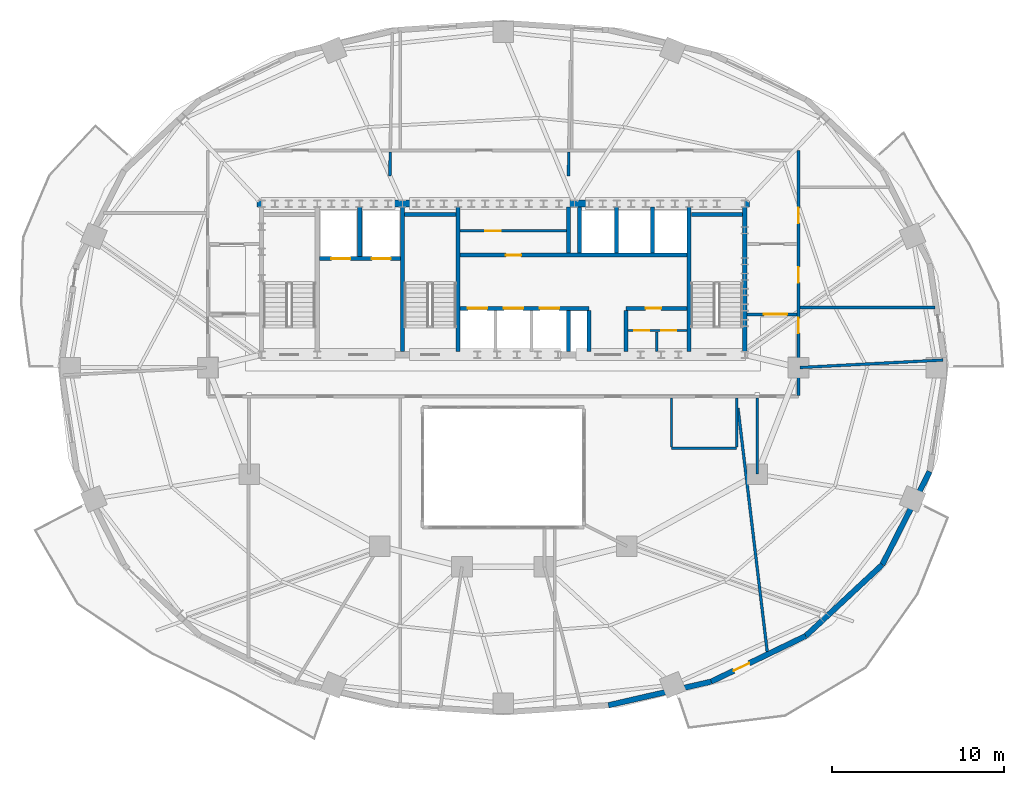
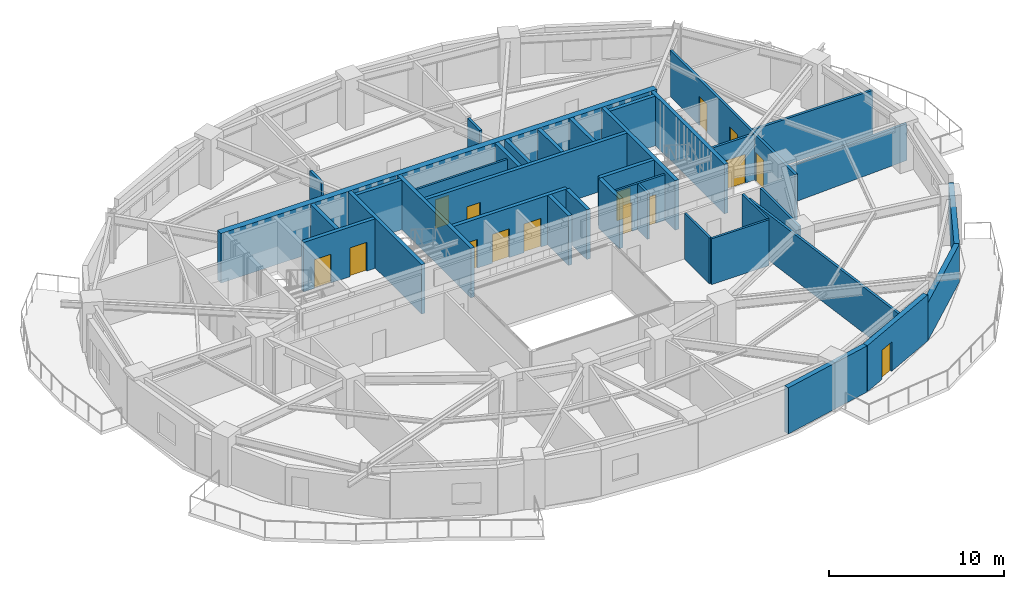
# One storey, part 7 of 11: 37 walls, 15 doors, 15 openings.
"""IFC4 building model written with IfcOpenShell, lengths in metres."""

from ifc_helpers import new_model, si_unit, direction, frame, frame_2d, origin, place, context, subcontext, project, spatial, rectangle, extrude, material, layer, layer_set, type_object, element, fill, save


model = new_model("IFC4")

# Units and contexts
model_context = context("Model", 3, precision=1e-05, world=origin(), true_north=direction((0.0, 1.0)))
body_context = subcontext(model_context, "Body", "Model", "MODEL_VIEW")
ifc_project = project(units=[si_unit("LENGTHUNIT", "METRE"), si_unit("AREAUNIT", "SQUARE_METRE"), si_unit("VOLUMEUNIT", "CUBIC_METRE"), si_unit("PLANEANGLEUNIT", "RADIAN"), si_unit("MASSUNIT", "GRAM", prefix="KILO")], contexts=[model_context])

# Site, building, storey
site_placement = place(None, origin())
site = spatial("IfcSite", under=ifc_project, at=site_placement, CompositionType="ELEMENT")
building_placement = place(site_placement, origin())
building = spatial("IfcBuilding", under=site, at=building_placement, Name="Haldorwick Loom Tower", CompositionType="ELEMENT")
storey_placement = place(building_placement, frame((0.0, 0.0, 171.699951171875)))
storey = spatial("IfcBuildingStorey", under=building, at=storey_placement, Name="L46", CompositionType="ELEMENT", Elevation=171.699951171875)

# Wall
ifc_material_1 = material(Name="Pressed Clay Face Brick and Insulated Masonry Backup Assembly", Category="masonry")
ifc_layer_1 = layer(ifc_material_1, 0.320068359375, Name="Pressed Clay Face Brick and Insulated Masonry Backup Assembly", Category="masonry")
ifc_layer_set_1 = layer_set([ifc_layer_1], Name="Pressed Clay Face Brick and Insulated Masonry Backup Assembly")
wall_type_1 = type_object("IfcWallType", Name="ARC-WL-EXT320", PredefinedType="STANDARD", material=ifc_layer_set_1)
wall_1_placement = place(storey_placement, frame((42.12890625, 6.3359375, 0.0), z_axis=(0.0, 0.0, 1.0), x_axis=(0.974593223547, 0.223982250674, 0.0)))
element("IfcWall", 1, at=wall_1_placement, inside=storey, type_object=wall_type_1, Name="L46 Brick Pier and Spandrel Wall 20", PredefinedType="STANDARD", context=body_context, shape_type="SweptSolid", body=[
    extrude(rectangle(XDim=6.138916015625, YDim=0.320068359375, at=frame_2d((3.0693359375, 0.0))), origin(), (0.0, 0.0, 1.0), 3.2099609375),
])

# Wall, opening, door
wall_2_placement = place(storey_placement, frame((48.11181640625, 7.7109375, 0.0), z_axis=(0.0, 0.0, 1.0), x_axis=(0.900479976617, 0.434897472644, 0.0)))
wall_2 = element("IfcWall", 2, at=wall_2_placement, inside=storey, type_object=wall_type_1, Name="L46 Brick Pier and Spandrel Wall 21", PredefinedType="STANDARD", context=body_context, shape_type="SweptSolid", body=[
    extrude(rectangle(XDim=6.118408203125, YDim=0.320068359375, at=frame_2d((3.05908203125, 0.0))), origin(), (0.0, 0.0, 1.0), 3.2099609375),
])
opening_1_placement = place(wall_2_placement, frame((1.460693359375, 0.0, 0.0)))
opening_1 = element("IfcOpeningElement", 3, at=opening_1_placement, cuts=wall_2, Name="Opening D-BL10", PredefinedType="OPENING", context=body_context, shape_type="SweptSolid", body=[
    extrude(rectangle(XDim=1.0, YDim=2.0400390625, at=frame_2d((0.5, 1.02001953125))), frame((0.0, 0.169921875, 0.0), z_axis=(0.0, -1.0, 0.0), x_axis=(1.0, 0.0, 0.0)), (0.0, 0.0, 1.0), 0.340087890625),
])
ifc_material_2 = material(Name="Thermally Broken Anodized Aluminium Curtain Wall Framing", Category="aluminium")
door_type_1 = type_object("IfcDoorType", Name="ARC-DR-BAL100", OperationType="NOTDEFINED", PredefinedType="DOOR", material=ifc_material_2)
door_1_placement = place(opening_1_placement, origin())
door_1 = element("IfcDoor", 4, at=door_1_placement, inside=storey, type_object=door_type_1, Name="L46 Outdoor Terrace Door SLB-L46-BAL_SE", OperationType="SINGLE_SWING_RIGHT", OverallHeight=2.0400390625, OverallWidth=1.0, PredefinedType="DOOR", context=body_context, shape_type="SweptSolid", body=[
    extrude(rectangle(XDim=1.0, YDim=2.0400390625, at=frame_2d((0.5, 1.02001953125))), frame((0.0, 0.02490234375, 0.0), z_axis=(0.0, -1.0, 0.0), x_axis=(1.0, 0.0, 0.0)), (0.0, 0.0, 1.0), 0.050048828125),
])
fill(opening_1, door_1)

# Walls
for number, where, z_axis, x_axis, name in (
    (5, (53.621337890625, 10.371826171875, 0.0), (0.0, 0.0, 1.0), (0.731982952968, 0.681322945866, 0.0), "L46 Brick Pier and Spandrel Wall 22"),
    (6, (58.07666015625, 14.518798828125, 0.0), (0.0, 0.0, 1.0), (0.453172129629, 0.89142303141, 0.0), "L46 Brick Pier and Spandrel Wall 23"),
):
    element("IfcWall", number, at=place(storey_placement, frame(where, z_axis=z_axis, x_axis=x_axis)), inside=storey, type_object=wall_type_1, Name=name, PredefinedType="STANDARD", context=body_context, shape_type="SweptSolid", body=[
        extrude(rectangle(XDim=6.086669921875, YDim=0.320068359375, at=frame_2d((3.04345703125, 0.0))), origin(), (0.0, 0.0, 1.0), 2.64111328125),
    ])

# Wall, openings, doors
ifc_material_3 = material(Name="Fire-Rated Type X Gypsum Stud Assembly EI 60")
ifc_layer_2 = layer(ifc_material_3, 0.159912109375, Name="Fire-Rated Type X Gypsum Stud Assembly EI 60")
ifc_layer_set_2 = layer_set([ifc_layer_2], Name="Fire-Rated Type X Gypsum Stud Assembly EI 60")
wall_type_2 = type_object("IfcWallType", Name="ARC-WL-FIRE160", PredefinedType="PARTITIONING", material=ifc_layer_set_2)
wall_3_placement = place(storey_placement, frame((53.199951171875, 24.383056640625, 0.0), z_axis=(0.0, 0.0, 1.0), x_axis=(0.0, 1.0, 0.0)))
wall_3 = element("IfcWall", 7, at=wall_3_placement, inside=storey, type_object=wall_type_2, Name="L46 Residential Fire Partition L46-CR-E0", PredefinedType="PARTITIONING", context=body_context, shape_type="SweptSolid", body=[
    extrude(rectangle(XDim=14.266845703125, YDim=0.159912109375, at=frame_2d((7.13330078125, 0.0))), origin(), (0.0, 0.0, 1.0), 3.195068359375),
])
opening_2_placement = place(wall_3_placement, frame((6.572021484375, 0.0, 0.0)))
opening_2 = element("IfcOpeningElement", 8, at=opening_2_placement, cuts=wall_3, Name="Opening D-FD60A", PredefinedType="OPENING", context=body_context, shape_type="SweptSolid", body=[
    extrude(rectangle(XDim=0.89990234375, YDim=2.0, at=frame_2d((0.449951171875, 1.0))), frame((0.0, 0.08984375, 0.0), z_axis=(0.0, -1.0, 0.0), x_axis=(1.0, 0.0, 0.0)), (0.0, 0.0, 1.0), 0.179931640625),
])
opening_3_placement = place(wall_3_placement, frame((3.619873046875, 0.0, 0.0)))
opening_3 = element("IfcOpeningElement", 9, at=opening_3_placement, cuts=wall_3, Name="Opening D-FD60A", PredefinedType="OPENING", context=body_context, shape_type="SweptSolid", body=[
    extrude(rectangle(XDim=0.89990234375, YDim=2.0, at=frame_2d((0.449951171875, 1.0))), frame((0.0, 0.08984375, 0.0), z_axis=(0.0, -1.0, 0.0), x_axis=(1.0, 0.0, 0.0)), (0.0, 0.0, 1.0), 0.179931640625),
])
opening_4_placement = place(wall_3_placement, frame((10.02734375, 0.0, 0.0)))
opening_4 = element("IfcOpeningElement", 10, at=opening_4_placement, cuts=wall_3, Name="Opening D-FD60A", PredefinedType="OPENING", context=body_context, shape_type="SweptSolid", body=[
    extrude(rectangle(XDim=0.89990234375, YDim=2.0, at=frame_2d((0.449951171875, 1.0))), frame((0.0, 0.08984375, 0.0), z_axis=(0.0, -1.0, 0.0), x_axis=(1.0, 0.0, 0.0)), (0.0, 0.0, 1.0), 0.179931640625),
])
ifc_material_4 = material(Name="Hollow Steel Fire Door Assembly", Category="steel")
door_type_2 = type_object("IfcDoorType", Name="ARC-DR-FD60-90", OperationType="NOTDEFINED", PredefinedType="DOOR", material=ifc_material_4)
door_2_placement = place(opening_2_placement, origin())
door_2 = element("IfcDoor", 11, at=door_2_placement, inside=storey, type_object=door_type_2, Name="L46 L46 East Residential Corridor to Co-Working Office 3 Door", OperationType="SINGLE_SWING_RIGHT", OverallHeight=2.0, OverallWidth=0.89990234375, PredefinedType="DOOR", context=body_context, shape_type="SweptSolid", body=[
    extrude(rectangle(XDim=0.89990234375, YDim=2.0, at=frame_2d((0.449951171875, 1.0))), frame((0.0, 0.02490234375, 0.0), z_axis=(0.0, -1.0, 0.0), x_axis=(1.0, 0.0, 0.0)), (0.0, 0.0, 1.0), 0.050048828125),
])
fill(opening_2, door_2)
door_3_placement = place(opening_3_placement, origin())
door_3 = element("IfcDoor", 12, at=door_3_placement, inside=storey, type_object=door_type_2, Name="L46 L46 Central Residential Corridor to Co-Working Office 1 Door", OperationType="SINGLE_SWING_LEFT", OverallHeight=2.0, OverallWidth=0.89990234375, PredefinedType="DOOR", context=body_context, shape_type="SweptSolid", body=[
    extrude(rectangle(XDim=0.89990234375, YDim=2.0, at=frame_2d((0.449951171875, 1.0))), frame((0.0, 0.02490234375, 0.0), z_axis=(0.0, -1.0, 0.0), x_axis=(1.0, 0.0, 0.0)), (0.0, 0.0, 1.0), 0.050048828125),
])
fill(opening_3, door_3)
door_4_placement = place(opening_4_placement, origin())
door_4 = element("IfcDoor", 13, at=door_4_placement, inside=storey, type_object=door_type_2, Name="L46 L46 North Residential Corridor to Co-Working Office 3 Door", OperationType="SINGLE_SWING_RIGHT", OverallHeight=2.0, OverallWidth=0.89990234375, PredefinedType="DOOR", context=body_context, shape_type="SweptSolid", body=[
    extrude(rectangle(XDim=0.89990234375, YDim=2.0, at=frame_2d((0.449951171875, 1.0))), frame((0.0, 0.02490234375, 0.0), z_axis=(0.0, -1.0, 0.0), x_axis=(1.0, 0.0, 0.0)), (0.0, 0.0, 1.0), 0.050048828125),
])
fill(opening_4, door_4)

# Wall, opening, door
wall_4_placement = place(storey_placement, frame((50.193115234375, 29.10009765625, 0.0), z_axis=(0.0, 0.0, 1.0), x_axis=(1.0, 0.0, 0.0)))
wall_4 = element("IfcWall", 14, at=wall_4_placement, inside=storey, type_object=wall_type_2, Name="L46 Residential Fire Partition L46-CR-ESJ", PredefinedType="PARTITIONING", context=body_context, shape_type="SweptSolid", body=[
    extrude(rectangle(XDim=2.923828125, YDim=0.159912109375, at=frame_2d((1.4619140625, 0.0))), origin(), (0.0, 0.0, 1.0), 3.195068359375),
])
opening_5_placement = place(wall_4_placement, frame((0.99560546875, 0.0, 0.0)))
opening_5 = element("IfcOpeningElement", 15, at=opening_5_placement, cuts=wall_4, Name="Opening D-CR15", PredefinedType="OPENING", context=body_context, shape_type="SweptSolid", body=[
    extrude(rectangle(XDim=1.35009765625, YDim=2.0, at=frame_2d((0.675048828125, 1.0))), frame((0.0, 0.08984375, 0.0), z_axis=(0.0, -1.0, 0.0), x_axis=(1.0, 0.0, 0.0)), (0.0, 0.0, 1.0), 0.179931640625),
])
ifc_material_5 = material(Name="Thermally Broken Anodized Aluminium and Tempered Glass", Category="aluminium")
door_type_3 = type_object("IfcDoorType", Name="ARC-DR-COR150", OperationType="NOTDEFINED", PredefinedType="DOOR", material=ifc_material_5)
door_5_placement = place(opening_5_placement, origin())
door_5 = element("IfcDoor", 16, at=door_5_placement, inside=storey, type_object=door_type_3, Name="L46 L46 East Residential Corridor to L46 Central Residential Corridor Do", OperationType="DOUBLE_DOOR_SINGLE_SWING", OverallHeight=2.0, OverallWidth=1.35009765625, PredefinedType="DOOR", context=body_context, shape_type="SweptSolid", body=[
    extrude(rectangle(XDim=1.35009765625, YDim=2.0, at=frame_2d((0.675048828125, 1.0))), frame((0.0, 0.02490234375, 0.0), z_axis=(0.0, -1.0, 0.0), x_axis=(1.0, 0.0, 0.0)), (0.0, 0.0, 1.0), 0.050048828125),
])
fill(opening_5, door_5)

# Walls
wall_5_placement = place(storey_placement, frame((53.282958984375, 26.00439453125, 0.0), z_axis=(0.0, 0.0, 1.0), x_axis=(0.99863031647, 0.052321038094, 0.0)))
element("IfcWall", 17, at=wall_5_placement, inside=storey, type_object=wall_type_2, Name="L46 Residential Fire Partition L46-ICR-01", PredefinedType="PARTITIONING", context=body_context, shape_type="SweptSolid", body=[
    extrude(rectangle(XDim=8.3525390625, YDim=0.159912109375, at=frame_2d((4.17626953125, 0.0))), origin(), (0.0, 0.0, 1.0), 2.568115234375),
])
wall_6_placement = place(storey_placement, frame((50.800048828125, 24.217041015625, 0.0), z_axis=(0.0, 0.0, 1.0), x_axis=(0.0, -1.0, 0.0)))
element("IfcWall", 18, at=wall_6_placement, inside=storey, type_object=wall_type_2, Name="L46 Residential Fire Partition L46-ICA-02", PredefinedType="PARTITIONING", context=body_context, shape_type="SweptSolid", body=[
    extrude(rectangle(XDim=4.4169921875, YDim=0.159912109375, at=frame_2d((2.20849609375, 0.0))), origin(), (0.0, 0.0, 1.0), 3.195068359375),
])
for number, where, z_axis, x_axis, name in (
    (19, (29.39990234375, 37.14990234375, 0.0), (0.0, 0.0, 1.0), (0.01739915764, 0.999848623199, 0.0), "L46 Residential Fire Partition L46-UPN-12"),
    (20, (39.800048828125, 37.14990234375, 0.0), (0.0, 0.0, 1.0), (0.01739915764, 0.999848623199, 0.0), "L46 Residential Fire Partition L46-UPN-13"),
):
    element("IfcWall", number, at=place(storey_placement, frame(where, z_axis=z_axis, x_axis=x_axis)), inside=storey, type_object=wall_type_2, Name=name, PredefinedType="PARTITIONING", context=body_context, shape_type="SweptSolid", body=[
        extrude(rectangle(XDim=1.417236328125, YDim=0.159912109375, at=frame_2d((0.70849609375, 0.0))), origin(), (0.0, 0.0, 1.0), 3.195068359375),
    ])
wall_7_placement = place(storey_placement, frame((53.282958984375, 29.5, 0.0), z_axis=(0.0, 0.0, 1.0), x_axis=(1.0, 0.0, 0.0)))
element("IfcWall", 21, at=wall_7_placement, inside=storey, type_object=wall_type_2, Name="L46 Residential Fire Partition L46-FLE-15", PredefinedType="PARTITIONING", context=body_context, shape_type="SweptSolid", body=[
    extrude(rectangle(XDim=7.875244140625, YDim=0.159912109375, at=frame_2d((3.9375, 0.0))), origin(), (0.0, 0.0, 1.0), 3.195068359375),
])
wall_8_placement = place(storey_placement, frame((51.389404296875, 9.3662109375, 0.0), z_axis=(0.0, 0.0, 1.0), x_axis=(-0.119286397993, 0.99285988702, 0.0)))
element("IfcWall", 22, at=wall_8_placement, inside=storey, type_object=wall_type_2, Name="L46 Suite Split Wall", PredefinedType="PARTITIONING", context=body_context, shape_type="SweptSolid", body=[
    extrude(rectangle(XDim=14.38818359375, YDim=0.159912109375, at=frame_2d((7.194091796875, 0.0))), origin(), (0.0, 0.0, 1.0), 3.195068359375),
])

# Wall, opening, door
ifc_layer_3 = layer(ifc_material_3, 0.139892578125, Name="Fire-Rated Type X Gypsum Stud Assembly EI 60")
ifc_layer_set_3 = layer_set([ifc_layer_3], Name="Fire-Rated Type X Gypsum Stud Assembly EI 60")
wall_type_3 = type_object("IfcWallType", Name="ARC-WL-PART140", PredefinedType="PARTITIONING", material=ifc_layer_set_3)
wall_9_placement = place(storey_placement, frame((33.492919921875, 33.9599609375, 0.0), z_axis=(0.0, 0.0, 1.0), x_axis=(1.0, 0.0, 0.0)))
wall_9 = element("IfcWall", 23, at=wall_9_placement, inside=storey, type_object=wall_type_3, Name="L46 Alcove Partition", PredefinedType="PARTITIONING", context=body_context, shape_type="SweptSolid", body=[
    extrude(rectangle(XDim=6.18408203125, YDim=0.139892578125, at=frame_2d((3.092041015625, 0.0))), origin(), (0.0, 0.0, 1.0), 3.195068359375),
])
opening_6_placement = place(wall_9_placement, frame((1.45703125, 0.0, 0.0)))
opening_6 = element("IfcOpeningElement", 24, at=opening_6_placement, cuts=wall_9, Name="Opening D-FD60A", PredefinedType="OPENING", context=body_context, shape_type="SweptSolid", body=[
    extrude(rectangle(XDim=0.89990234375, YDim=2.0, at=frame_2d((0.449951171875, 1.0))), frame((0.0, 0.079833984375, 0.0), z_axis=(0.0, -1.0, 0.0), x_axis=(1.0, 0.0, 0.0)), (0.0, 0.0, 1.0), 0.159912109375),
])
door_6_placement = place(opening_6_placement, frame((0.89990234375, 0.0, 0.0), z_axis=(0.0, 0.0, 1.0), x_axis=(-1.0, 0.0, 0.0)))
door_6 = element("IfcDoor", 25, at=door_6_placement, inside=storey, type_object=door_type_2, Name="L46 Trunk Store Door", OperationType="SINGLE_SWING_LEFT", OverallHeight=2.0, OverallWidth=0.89990234375, PredefinedType="DOOR", context=body_context, shape_type="SweptSolid", body=[
    extrude(rectangle(XDim=0.89990234375, YDim=2.0, at=frame_2d((0.449951171875, 1.0))), frame((0.0, 0.02490234375, 0.0), z_axis=(0.0, -1.0, 0.0), x_axis=(1.0, 0.0, 0.0)), (0.0, 0.0, 1.0), 0.050048828125),
])
fill(opening_6, door_6)

# Wall, openings, doors
wall_10_placement = place(storey_placement, frame((43.27294921875, 28.159912109375, 0.0), z_axis=(0.0, 0.0, 1.0), x_axis=(1.0, 0.0, 0.0)))
wall_10 = element("IfcWall", 26, at=wall_10_placement, inside=storey, type_object=wall_type_3, Name="L46 Telecom Partition", PredefinedType="PARTITIONING", context=body_context, shape_type="SweptSolid", body=[
    extrude(rectangle(XDim=3.43408203125, YDim=0.139892578125, at=frame_2d((1.717041015625, 0.0))), origin(), (0.0, 0.0, 1.0), 3.195068359375),
])
opening_7_placement = place(wall_10_placement, frame((0.366943359375, 0.0, 0.0)))
opening_7 = element("IfcOpeningElement", 27, at=opening_7_placement, cuts=wall_10, Name="Opening D-BT88", PredefinedType="OPENING", context=body_context, shape_type="SweptSolid", body=[
    extrude(rectangle(XDim=0.8798828125, YDim=2.02001953125, at=frame_2d((0.43994140625, 1.010009765625))), frame((0.0, 0.079833984375, 0.0), z_axis=(0.0, -1.0, 0.0), x_axis=(1.0, 0.0, 0.0)), (0.0, 0.0, 1.0), 0.159912109375),
])
opening_8_placement = place(wall_10_placement, frame((1.93701171875, 0.0, 0.0)))
opening_8 = element("IfcOpeningElement", 28, at=opening_8_placement, cuts=wall_10, Name="Opening D-BT88", PredefinedType="OPENING", context=body_context, shape_type="SweptSolid", body=[
    extrude(rectangle(XDim=0.8798828125, YDim=2.02001953125, at=frame_2d((0.43994140625, 1.010009765625))), frame((0.0, 0.079833984375, 0.0), z_axis=(0.0, -1.0, 0.0), x_axis=(1.0, 0.0, 0.0)), (0.0, 0.0, 1.0), 0.159912109375),
])
ifc_material_6 = material(Name="Solid Core Birch Architectural Door")
door_type_4 = type_object("IfcDoorType", Name="ARC-DR-BATH88", OperationType="NOTDEFINED", PredefinedType="DOOR", material=ifc_material_6)
door_7_placement = place(opening_7_placement, origin())
door_7 = element("IfcDoor", 29, at=door_7_placement, inside=storey, type_object=door_type_4, Name="L46 Telecom Room Door", OperationType="SINGLE_SWING_LEFT", OverallHeight=2.02001953125, OverallWidth=0.8798828125, PredefinedType="DOOR", context=body_context, shape_type="SweptSolid", body=[
    extrude(rectangle(XDim=0.8798828125, YDim=2.02001953125, at=frame_2d((0.43994140625, 1.010009765625))), frame((0.0, 0.02490234375, 0.0), z_axis=(0.0, -1.0, 0.0), x_axis=(1.0, 0.0, 0.0)), (0.0, 0.0, 1.0), 0.050048828125),
])
fill(opening_7, door_7)
door_8_placement = place(opening_8_placement, origin())
door_8 = element("IfcDoor", 30, at=door_8_placement, inside=storey, type_object=door_type_4, Name="L46 Metering Closet Door", OperationType="SINGLE_SWING_RIGHT", OverallHeight=2.02001953125, OverallWidth=0.8798828125, PredefinedType="DOOR", context=body_context, shape_type="SweptSolid", body=[
    extrude(rectangle(XDim=0.8798828125, YDim=2.02001953125, at=frame_2d((0.43994140625, 1.010009765625))), frame((0.0, 0.02490234375, 0.0), z_axis=(0.0, -1.0, 0.0), x_axis=(1.0, 0.0, 0.0)), (0.0, 0.0, 1.0), 0.050048828125),
])
fill(opening_8, door_8)

# Walls
wall_11_placement = place(storey_placement, frame((44.949951171875, 26.952880859375, 0.0), z_axis=(0.0, 0.0, 1.0), x_axis=(0.0, 1.0, 0.0)))
element("IfcWall", 31, at=wall_11_placement, inside=storey, type_object=wall_type_3, Name="L46 Metering Sub-Partition", PredefinedType="PARTITIONING", context=body_context, shape_type="SweptSolid", body=[
    extrude(rectangle(XDim=1.134033203125, YDim=0.139892578125, at=frame_2d((0.56689453125, 0.0))), origin(), (0.0, 0.0, 1.0), 3.195068359375),
])
wall_12_placement = place(storey_placement, frame((45.800048828125, 21.300048828125, 0.0), z_axis=(0.0, 0.0, 1.0), x_axis=(1.0, 0.0, 0.0)))
element("IfcWall", 32, at=wall_12_placement, inside=storey, type_object=wall_type_3, Name="L46 Residential Fire Partition L46-CWC-S", PredefinedType="PARTITIONING", context=body_context, shape_type="SweptSolid", body=[
    extrude(rectangle(XDim=3.800048828125, YDim=0.139892578125, at=frame_2d((1.89990234375, 0.0))), origin(), (0.0, 0.0, 1.0), 3.195068359375),
])
for number, where, z_axis, x_axis, name in (
    (33, (45.800048828125, 21.373046875, 0.0), (0.0, 0.0, 1.0), (0.0, 1.0, 0.0), "L46 Residential Fire Partition L46-CWC-W"),
    (34, (49.60009765625, 21.373046875, 0.0), (0.0, 0.0, 1.0), (0.0, 1.0, 0.0), "L46 Residential Fire Partition L46-CWC-E"),
):
    element("IfcWall", number, at=place(storey_placement, frame(where, z_axis=z_axis, x_axis=x_axis)), inside=storey, type_object=wall_type_3, Name=name, PredefinedType="PARTITIONING", context=body_context, shape_type="SweptSolid", body=[
        extrude(rectangle(XDim=2.843994140625, YDim=0.139892578125, at=frame_2d((1.421875, 0.0))), origin(), (0.0, 0.0, 1.0), 3.195068359375),
    ])
ifc_material_7 = material(Name="Concrete C50 (50 MPa)", Category="concrete")
ifc_layer_4 = layer(ifc_material_7, 0.39990234375, Name="Concrete C50 (50 MPa)", Category="concrete")
ifc_layer_set_4 = layer_set([ifc_layer_4], Name="Concrete C50 (50 MPa)")
wall_type_4 = type_object("IfcWallType", Name="STR-WL-CORE400", PredefinedType="SHEAR", material=ifc_layer_set_4)
wall_13_placement = place(storey_placement, frame((50.35009765625, 35.550048828125, 0.0), z_axis=(0.0, 0.0, 1.0), x_axis=(-1.0, 0.0, 0.0)))
element("IfcWall", 35, at=wall_13_placement, inside=storey, type_object=wall_type_4, Name="L46 Core Shear Wall N", PredefinedType="SHEAR", context=body_context, shape_type="SweptSolid", body=[
    extrude(rectangle(XDim=28.7001953125, YDim=0.39990234375, at=frame_2d((14.35009765625, 0.0))), origin(), (0.0, 0.0, 1.0), 3.449951171875),
])
ifc_layer_5 = layer(ifc_material_7, 0.239990234375, Name="Concrete C50 (50 MPa)", Category="concrete")
ifc_layer_set_5 = layer_set([ifc_layer_5], Name="Concrete C50 (50 MPa)")
wall_type_5 = type_object("IfcWallType", Name="STR-WL-SHAFT240", PredefinedType="SHEAR", material=ifc_layer_set_5)
for number, where, z_axis, x_axis, name in (
    (36, (50.070068359375, 26.952880859375, 0.0), (0.0, 0.0, 1.0), (0.0, 1.0, 0.0), "L46 Core Shear Wall E"),
    (37, (30.1298828125, 26.952880859375, 0.0), (0.0, 0.0, 1.0), (0.0, 1.0, 0.0), "L46 Core Shear Wall 2"),
    (38, (33.3701171875, 26.952880859375, 0.0), (0.0, 0.0, 1.0), (0.0, 1.0, 0.0), "L46 Core Shear Wall 3"),
):
    element("IfcWall", number, at=place(storey_placement, frame(where, z_axis=z_axis, x_axis=x_axis)), inside=storey, type_object=wall_type_5, Name=name, PredefinedType="SHEAR", context=body_context, shape_type="SweptSolid", body=[
        extrude(rectangle(XDim=8.39404296875, YDim=0.239990234375, at=frame_2d((4.197021484375, 0.0))), origin(), (0.0, 0.0, 1.0), 3.449951171875),
    ])
wall_14_placement = place(storey_placement, frame((30.2529296875, 34.919921875, 0.0), z_axis=(0.0, 0.0, 1.0), x_axis=(1.0, 0.0, 0.0)))
element("IfcWall", 39, at=wall_14_placement, inside=storey, type_object=wall_type_5, Name="L46 Core Shear Wall 3N", PredefinedType="SHEAR", context=body_context, shape_type="SweptSolid", body=[
    extrude(rectangle(XDim=2.994140625, YDim=0.239990234375, at=frame_2d((1.4970703125, 0.0))), origin(), (0.0, 0.0, 1.0), 3.449951171875),
])
wall_15_placement = place(storey_placement, frame((46.830078125, 26.952880859375, 0.0), z_axis=(0.0, 0.0, 1.0), x_axis=(0.0, 1.0, 0.0)))
element("IfcWall", 40, at=wall_15_placement, inside=storey, type_object=wall_type_5, Name="L46 Core Shear Wall 4", PredefinedType="SHEAR", context=body_context, shape_type="SweptSolid", body=[
    extrude(rectangle(XDim=8.39404296875, YDim=0.239990234375, at=frame_2d((4.197021484375, 0.0))), origin(), (0.0, 0.0, 1.0), 3.449951171875),
])
wall_16_placement = place(storey_placement, frame((46.952880859375, 34.919921875, 0.0), z_axis=(0.0, 0.0, 1.0), x_axis=(1.0, 0.0, 0.0)))
element("IfcWall", 41, at=wall_16_placement, inside=storey, type_object=wall_type_5, Name="L46 Core Shear Wall 4N", PredefinedType="SHEAR", context=body_context, shape_type="SweptSolid", body=[
    extrude(rectangle(XDim=2.994140625, YDim=0.239990234375, at=frame_2d((1.4970703125, 0.0))), origin(), (0.0, 0.0, 1.0), 3.449951171875),
])

# Wall, openings, doors
wall_17_placement = place(storey_placement, frame((25.29296875, 32.35009765625, 0.0), z_axis=(0.0, 0.0, 1.0), x_axis=(1.0, 0.0, 0.0)))
wall_17 = element("IfcWall", 42, at=wall_17_placement, inside=storey, type_object=wall_type_5, Name="L46 Core Shear Wall FF", PredefinedType="SHEAR", context=body_context, shape_type="SweptSolid", body=[
    extrude(rectangle(XDim=4.714111328125, YDim=0.239990234375, at=frame_2d((2.35693359375, 0.0))), origin(), (0.0, 0.0, 1.0), 3.449951171875),
])
opening_9_placement = place(wall_17_placement, frame((0.70703125, 0.0, 0.0)))
opening_9 = element("IfcOpeningElement", 43, at=opening_9_placement, cuts=wall_17, Name="Opening LD-FF1", PredefinedType="OPENING", context=body_context, shape_type="SweptSolid", body=[
    extrude(rectangle(XDim=1.10009765625, YDim=2.0, at=frame_2d((0.550048828125, 1.0))), frame((0.0, 0.1298828125, 0.0), z_axis=(0.0, -1.0, 0.0), x_axis=(1.0, 0.0, 0.0)), (0.0, 0.0, 1.0), 0.260009765625),
])
opening_10_placement = place(wall_17_placement, frame((3.056884765625, 0.0, 0.0)))
opening_10 = element("IfcOpeningElement", 44, at=opening_10_placement, cuts=wall_17, Name="Opening LD-FF2", PredefinedType="OPENING", context=body_context, shape_type="SweptSolid", body=[
    extrude(rectangle(XDim=1.10009765625, YDim=2.0, at=frame_2d((0.550048828125, 1.0))), frame((0.0, 0.1298828125, 0.0), z_axis=(0.0, -1.0, 0.0), x_axis=(1.0, 0.0, 0.0)), (0.0, 0.0, 1.0), 0.260009765625),
])
door_type_5 = type_object("IfcDoorType", Name="ARC-DR-LD-FF", OperationType="NOTDEFINED", PredefinedType="USERDEFINED", material=ifc_material_4)
door_9_placement = place(opening_9_placement, origin())
door_9 = element("IfcDoor", 45, at=door_9_placement, inside=storey, type_object=door_type_5, Name="L46 Lift LF-FF1 Sliding Landing Door", ObjectType="LANDING DOOR", OperationType="DOUBLE_DOOR_SLIDING", OverallHeight=2.0, OverallWidth=1.10009765625, PredefinedType="USERDEFINED", context=body_context, shape_type="SweptSolid", body=[
    extrude(rectangle(XDim=1.10009765625, YDim=2.0, at=frame_2d((0.550048828125, 1.0))), frame((0.0, 0.02490234375, 0.0), z_axis=(0.0, -1.0, 0.0), x_axis=(1.0, 0.0, 0.0)), (0.0, 0.0, 1.0), 0.050048828125),
])
fill(opening_9, door_9)
door_10_placement = place(opening_10_placement, origin())
door_10 = element("IfcDoor", 46, at=door_10_placement, inside=storey, type_object=door_type_5, Name="L46 Lift LF-FF2 Sliding Landing Door", ObjectType="LANDING DOOR", OperationType="DOUBLE_DOOR_SLIDING", OverallHeight=2.0, OverallWidth=1.10009765625, PredefinedType="USERDEFINED", context=body_context, shape_type="SweptSolid", body=[
    extrude(rectangle(XDim=1.10009765625, YDim=2.0, at=frame_2d((0.550048828125, 1.0))), frame((0.0, 0.02490234375, 0.0), z_axis=(0.0, -1.0, 0.0), x_axis=(1.0, 0.0, 0.0)), (0.0, 0.0, 1.0), 0.050048828125),
])
fill(opening_10, door_10)

# Wall
wall_18_placement = place(storey_placement, frame((27.64990234375, 32.472900390625, 0.0), z_axis=(0.0, 0.0, 1.0), x_axis=(0.0, 1.0, 0.0)))
element("IfcWall", 47, at=wall_18_placement, inside=storey, type_object=wall_type_5, Name="L46 Core Shear Wall FFD", PredefinedType="SHEAR", context=body_context, shape_type="SweptSolid", body=[
    extrude(rectangle(XDim=2.8740234375, YDim=0.239990234375, at=frame_2d((1.43701171875, 0.0))), origin(), (0.0, 0.0, 1.0), 3.449951171875),
])

# Wall, opening, door
wall_19_placement = place(storey_placement, frame((33.492919921875, 32.550048828125, 0.0), z_axis=(0.0, 0.0, 1.0), x_axis=(1.0, 0.0, 0.0)))
wall_19 = element("IfcWall", 48, at=wall_19_placement, inside=storey, type_object=wall_type_5, Name="L46 Core Shear Wall LN", PredefinedType="SHEAR", context=body_context, shape_type="SweptSolid", body=[
    extrude(rectangle(XDim=13.214111328125, YDim=0.239990234375, at=frame_2d((6.60693359375, 0.0))), origin(), (0.0, 0.0, 1.0), 3.449951171875),
])
opening_11_placement = place(wall_19_placement, frame((2.656982421875, 0.0, 0.0)))
opening_11 = element("IfcOpeningElement", 49, at=opening_11_placement, cuts=wall_19, Name="Opening D-FD60A", PredefinedType="OPENING", context=body_context, shape_type="SweptSolid", body=[
    extrude(rectangle(XDim=0.89990234375, YDim=2.0, at=frame_2d((0.449951171875, 1.0))), frame((0.0, 0.1298828125, 0.0), z_axis=(0.0, -1.0, 0.0), x_axis=(1.0, 0.0, 0.0)), (0.0, 0.0, 1.0), 0.260009765625),
])
door_11_placement = place(opening_11_placement, frame((0.89990234375, 0.0, 0.0), z_axis=(0.0, 0.0, 1.0), x_axis=(-1.0, 0.0, 0.0)))
door_11 = element("IfcDoor", 50, at=door_11_placement, inside=storey, type_object=door_type_2, Name="L46 Floor Equipment Door", OperationType="SINGLE_SWING_RIGHT", OverallHeight=2.0, OverallWidth=0.89990234375, PredefinedType="DOOR", context=body_context, shape_type="SweptSolid", body=[
    extrude(rectangle(XDim=0.89990234375, YDim=2.0, at=frame_2d((0.449951171875, 1.0))), frame((0.0, 0.02490234375, 0.0), z_axis=(0.0, -1.0, 0.0), x_axis=(1.0, 0.0, 0.0)), (0.0, 0.0, 1.0), 0.050048828125),
])
fill(opening_11, door_11)

# Wall, openings, doors
wall_20_placement = place(storey_placement, frame((33.492919921875, 29.449951171875, 0.0), z_axis=(0.0, 0.0, 1.0), x_axis=(1.0, 0.0, 0.0)))
wall_20 = element("IfcWall", 51, at=wall_20_placement, inside=storey, type_object=wall_type_5, Name="L46 Core Shear Wall LS1", PredefinedType="SHEAR", context=body_context, shape_type="SweptSolid", body=[
    extrude(rectangle(XDim=7.507080078125, YDim=0.239990234375, at=frame_2d((3.75341796875, 0.0))), origin(), (0.0, 0.0, 1.0), 3.449951171875),
])
opening_12_placement = place(wall_20_placement, frame((0.447021484375, 0.0, 0.0)))
opening_12 = element("IfcOpeningElement", 52, at=opening_12_placement, cuts=wall_20, Name="Opening LD-M1", PredefinedType="OPENING", context=body_context, shape_type="SweptSolid", body=[
    extrude(rectangle(XDim=1.1201171875, YDim=2.0, at=frame_2d((0.56005859375, 1.0))), frame((0.0, 0.1298828125, 0.0), z_axis=(0.0, -1.0, 0.0), x_axis=(1.0, 0.0, 0.0)), (0.0, 0.0, 1.0), 0.260009765625),
])
opening_13_placement = place(wall_20_placement, frame((2.547119140625, 0.0, 0.0)))
opening_13 = element("IfcOpeningElement", 53, at=opening_13_placement, cuts=wall_20, Name="Opening LD-M2", PredefinedType="OPENING", context=body_context, shape_type="SweptSolid", body=[
    extrude(rectangle(XDim=1.1201171875, YDim=2.0, at=frame_2d((0.56005859375, 1.0))), frame((0.0, 0.1298828125, 0.0), z_axis=(0.0, -1.0, 0.0), x_axis=(1.0, 0.0, 0.0)), (0.0, 0.0, 1.0), 0.260009765625),
])
opening_14_placement = place(wall_20_placement, frame((4.64697265625, 0.0, 0.0)))
opening_14 = element("IfcOpeningElement", 54, at=opening_14_placement, cuts=wall_20, Name="Opening LD-M3", PredefinedType="OPENING", context=body_context, shape_type="SweptSolid", body=[
    extrude(rectangle(XDim=1.1201171875, YDim=2.0, at=frame_2d((0.56005859375, 1.0))), frame((0.0, 0.1298828125, 0.0), z_axis=(0.0, -1.0, 0.0), x_axis=(1.0, 0.0, 0.0)), (0.0, 0.0, 1.0), 0.260009765625),
])
door_type_6 = type_object("IfcDoorType", Name="ARC-DR-LD-PAX", OperationType="NOTDEFINED", PredefinedType="USERDEFINED", material=ifc_material_4)
door_12_placement = place(opening_12_placement, origin())
door_12 = element("IfcDoor", 55, at=door_12_placement, inside=storey, type_object=door_type_6, Name="L46 Lift LF-M1 Sliding Landing Door", ObjectType="LANDING DOOR", OperationType="DOUBLE_DOOR_SLIDING", OverallHeight=2.0, OverallWidth=1.1201171875, PredefinedType="USERDEFINED", context=body_context, shape_type="SweptSolid", body=[
    extrude(rectangle(XDim=1.1201171875, YDim=2.0, at=frame_2d((0.56005859375, 1.0))), frame((0.0, 0.02490234375, 0.0), z_axis=(0.0, -1.0, 0.0), x_axis=(1.0, 0.0, 0.0)), (0.0, 0.0, 1.0), 0.050048828125),
])
fill(opening_12, door_12)
door_13_placement = place(opening_13_placement, origin())
door_13 = element("IfcDoor", 56, at=door_13_placement, inside=storey, type_object=door_type_6, Name="L46 Lift LF-M2 Sliding Landing Door", ObjectType="LANDING DOOR", OperationType="DOUBLE_DOOR_SLIDING", OverallHeight=2.0, OverallWidth=1.1201171875, PredefinedType="USERDEFINED", context=body_context, shape_type="SweptSolid", body=[
    extrude(rectangle(XDim=1.1201171875, YDim=2.0, at=frame_2d((0.56005859375, 1.0))), frame((0.0, 0.02490234375, 0.0), z_axis=(0.0, -1.0, 0.0), x_axis=(1.0, 0.0, 0.0)), (0.0, 0.0, 1.0), 0.050048828125),
])
fill(opening_13, door_13)
door_14_placement = place(opening_14_placement, origin())
door_14 = element("IfcDoor", 57, at=door_14_placement, inside=storey, type_object=door_type_6, Name="L46 Lift LF-M3 Sliding Landing Door", ObjectType="LANDING DOOR", OperationType="DOUBLE_DOOR_SLIDING", OverallHeight=2.0, OverallWidth=1.1201171875, PredefinedType="USERDEFINED", context=body_context, shape_type="SweptSolid", body=[
    extrude(rectangle(XDim=1.1201171875, YDim=2.0, at=frame_2d((0.56005859375, 1.0))), frame((0.0, 0.02490234375, 0.0), z_axis=(0.0, -1.0, 0.0), x_axis=(1.0, 0.0, 0.0)), (0.0, 0.0, 1.0), 0.050048828125),
])
fill(opening_14, door_14)

# Wall, opening, door
wall_21_placement = place(storey_placement, frame((43.14990234375, 29.449951171875, 0.0), z_axis=(0.0, 0.0, 1.0), x_axis=(1.0, 0.0, 0.0)))
wall_21 = element("IfcWall", 58, at=wall_21_placement, inside=storey, type_object=wall_type_5, Name="L46 Core Shear Wall LS2", PredefinedType="SHEAR", context=body_context, shape_type="SweptSolid", body=[
    extrude(rectangle(XDim=3.55712890625, YDim=0.239990234375, at=frame_2d((1.778564453125, 0.0))), origin(), (0.0, 0.0, 1.0), 3.449951171875),
])
opening_15_placement = place(wall_21_placement, frame((1.14990234375, 0.0, 0.0)))
opening_15 = element("IfcOpeningElement", 59, at=opening_15_placement, cuts=wall_21, Name="Opening D-FD60A", PredefinedType="OPENING", context=body_context, shape_type="SweptSolid", body=[
    extrude(rectangle(XDim=0.89990234375, YDim=2.0, at=frame_2d((0.449951171875, 1.0))), frame((0.0, 0.1298828125, 0.0), z_axis=(0.0, -1.0, 0.0), x_axis=(1.0, 0.0, 0.0)), (0.0, 0.0, 1.0), 0.260009765625),
])
door_15_placement = place(opening_15_placement, origin())
door_15 = element("IfcDoor", 60, at=door_15_placement, inside=storey, type_object=door_type_2, Name="L46 Janitor Closet Door", OperationType="SINGLE_SWING_LEFT", OverallHeight=2.0, OverallWidth=0.89990234375, PredefinedType="DOOR", context=body_context, shape_type="SweptSolid", body=[
    extrude(rectangle(XDim=0.89990234375, YDim=2.0, at=frame_2d((0.449951171875, 1.0))), frame((0.0, 0.02490234375, 0.0), z_axis=(0.0, -1.0, 0.0), x_axis=(1.0, 0.0, 0.0)), (0.0, 0.0, 1.0), 0.050048828125),
])
fill(opening_15, door_15)

# Walls
for number, where, z_axis, x_axis, name in (
    (61, (41.0, 26.952880859375, 0.0), (0.0, 0.0, 1.0), (0.0, 1.0, 0.0), "L46 Core Shear Wall THW"),
    (62, (43.14990234375, 26.952880859375, 0.0), (0.0, 0.0, 1.0), (0.0, 1.0, 0.0), "L46 Core Shear Wall THE"),
):
    element("IfcWall", number, at=place(storey_placement, frame(where, z_axis=z_axis, x_axis=x_axis)), inside=storey, type_object=wall_type_5, Name=name, PredefinedType="SHEAR", context=body_context, shape_type="SweptSolid", body=[
        extrude(rectangle(XDim=2.3740234375, YDim=0.239990234375, at=frame_2d((1.18701171875, 0.0))), origin(), (0.0, 0.0, 1.0), 3.449951171875),
    ])
for number, where, z_axis, x_axis, name in (
    (63, (39.800048828125, 32.673095703125, 0.0), (0.0, 0.0, 1.0), (0.0, 1.0, 0.0), "L46 Core Shear Wall LHW"),
    (64, (40.449951171875, 32.673095703125, 0.0), (0.0, 0.0, 1.0), (0.0, 1.0, 0.0), "L46 Core Shear Wall H0"),
    (65, (42.60009765625, 32.673095703125, 0.0), (0.0, 0.0, 1.0), (0.0, 1.0, 0.0), "L46 Core Shear Wall H1"),
    (66, (44.699951171875, 32.673095703125, 0.0), (0.0, 0.0, 1.0), (0.0, 1.0, 0.0), "L46 Core Shear Wall H2"),
):
    element("IfcWall", number, at=place(storey_placement, frame(where, z_axis=z_axis, x_axis=x_axis)), inside=storey, type_object=wall_type_5, Name=name, PredefinedType="SHEAR", context=body_context, shape_type="SweptSolid", body=[
        extrude(rectangle(XDim=2.673828125, YDim=0.239990234375, at=frame_2d((1.3369140625, 0.0))), origin(), (0.0, 0.0, 1.0), 3.449951171875),
    ])
wall_22_placement = place(storey_placement, frame((39.800048828125, 26.952880859375, 0.0), z_axis=(0.0, 0.0, 1.0), x_axis=(0.0, 1.0, 0.0)))
element("IfcWall", 67, at=wall_22_placement, inside=storey, type_object=wall_type_5, Name="L46 Core Shear Wall MRW", PredefinedType="SHEAR", context=body_context, shape_type="SweptSolid", body=[
    extrude(rectangle(XDim=2.3740234375, YDim=0.239990234375, at=frame_2d((1.18701171875, 0.0))), origin(), (0.0, 0.0, 1.0), 3.449951171875),
])

save(model, "model.ifc")
